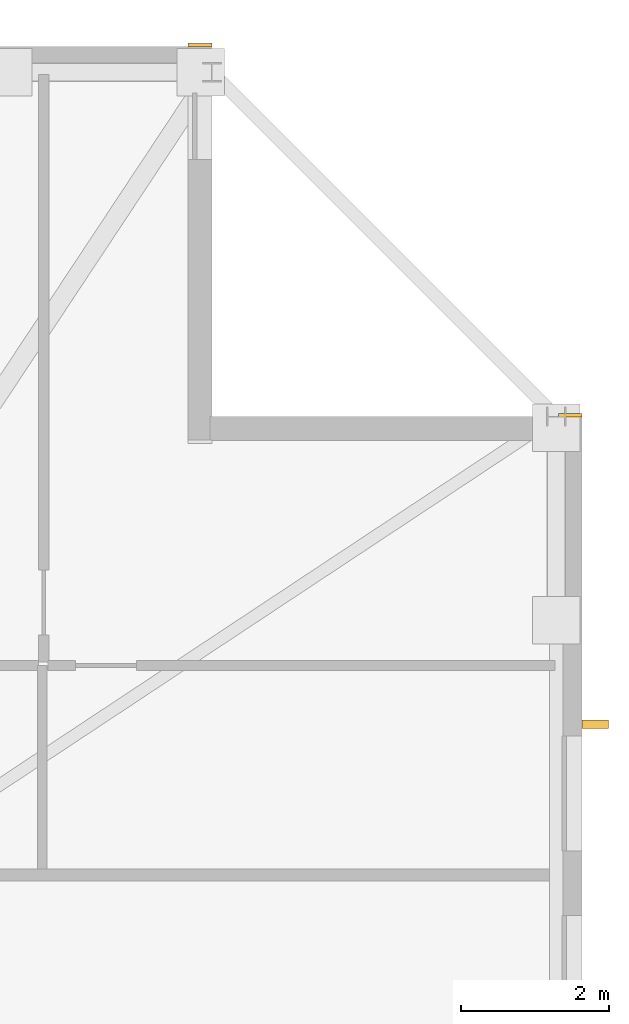
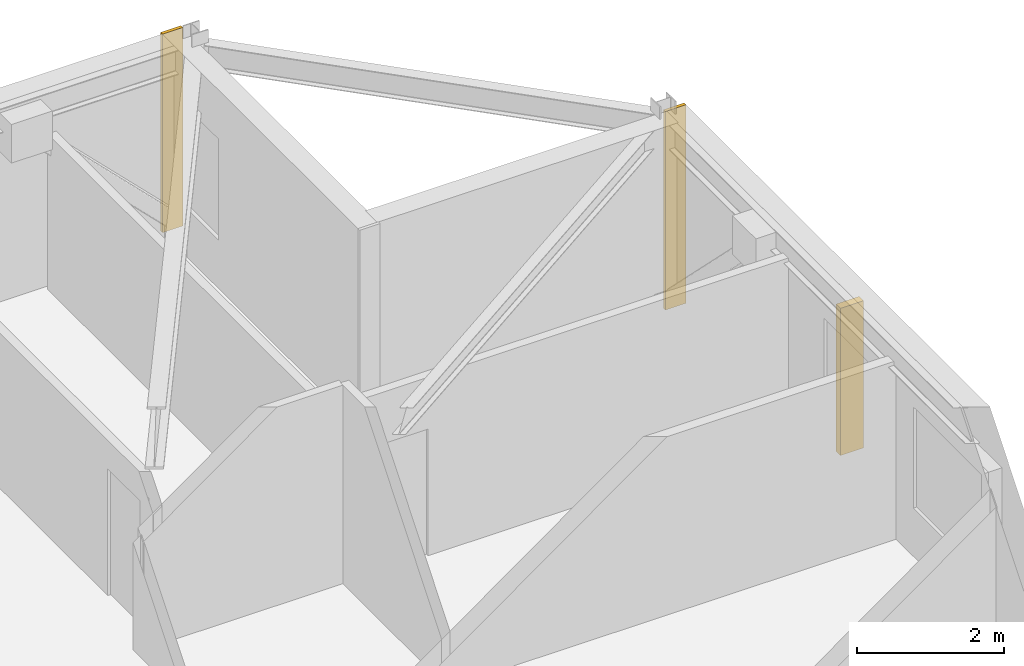
# One storey, part 17 of 17: 2 coverings, 1 shading device.
"""IFC4 building model written with IfcOpenShell, lengths in metres."""

from ifc_helpers import new_model, si_unit, direction, frame, frame_2d, origin, origin_2d, place, context, subcontext, project, spatial, rectangle, extrude, material, layer, layer_set, type_object, element, save


model = new_model("IFC4")

# Units and contexts
model_context = context("Model", 3, precision=1e-05, world=origin(), true_north=direction((0.0, 1.0)))
body_context = subcontext(model_context, "Body", "Model", "MODEL_VIEW")
ifc_project = project(units=[si_unit("LENGTHUNIT", "METRE"), si_unit("AREAUNIT", "SQUARE_METRE"), si_unit("VOLUMEUNIT", "CUBIC_METRE"), si_unit("PLANEANGLEUNIT", "RADIAN"), si_unit("MASSUNIT", "GRAM", prefix="KILO")], contexts=[model_context])

# Site, building, storey
site_placement = place(None, origin())
site = spatial("IfcSite", under=ifc_project, at=site_placement, CompositionType="ELEMENT")
building_placement = place(site_placement, origin())
building = spatial("IfcBuilding", under=site, at=building_placement, Name="Cairnveth Concourse Tower", CompositionType="ELEMENT")
storey_placement = place(building_placement, frame((0.0, 0.0, 213.0)))
storey = spatial("IfcBuildingStorey", under=building, at=storey_placement, Name="L58", CompositionType="ELEMENT", Elevation=213.0)

# Coverings
ifc_material_1 = material(Name="Dressed Melbourne Bluestone Cladding", Category="masonry")
ifc_layer = layer(ifc_material_1, 0.050048828125)
ifc_layer_set = layer_set([ifc_layer], Name="Dressed Melbourne Bluestone Cladding")
covering_type = type_object("IfcCoveringType", Name="DRESSED BLUESTONE PLINTH CLADDING 50", PredefinedType="CLADDING", material=ifc_layer_set)
for number, where, z_axis, x_axis, name in (
    (1, (69.179931640625, 61.52001953125, 0.0), (0.0, 0.0, 1.0), (1.0, 0.0, 0.0), "Melbourne Bluestone Corner Quoin L58-864"),
    (2, (74.179931640625, 56.52001953125, 0.0), (0.0, 0.0, 1.0), (1.0, 0.0, 0.0), "Melbourne Bluestone Corner Quoin L58-866"),
):
    element("IfcCovering", number, at=place(storey_placement, frame(where, z_axis=z_axis, x_axis=x_axis)), inside=storey, type_object=covering_type, Name=name, PredefinedType="CLADDING", context=body_context, shape_type="SweptSolid", body=[
        extrude(rectangle(XDim=0.320068359375, YDim=0.050048828125, at=frame_2d((0.16015625, 0.0))), origin(), (0.0, 0.0, 1.0), 3.2900390625),
    ])

# Shading device
ifc_material_2 = material(Name="Architectural Bronze Anodised Aluminium 6063-T6", Category="aluminium")
shading_device_type = type_object("IfcShadingDeviceType", Name="GOTHIC BRONZE VERTICAL LANCET FIN", PredefinedType="USERDEFINED", material=ifc_material_2)
shading_device_placement = place(storey_placement, frame((74.675048828125, 52.347412109375, 0.030029296875), z_axis=(0.0, 0.0, 1.0), x_axis=(0.0, 1.0, 0.0)))
element("IfcShadingDevice", 3, at=shading_device_placement, inside=storey, type_object=shading_device_type, Name="Gothic Bronze Vertical Fin L58-3-1", ObjectType="VERTICAL FIN", PredefinedType="USERDEFINED", context=body_context, shape_type="SweptSolid", body=[
    extrude(rectangle(XDim=0.1201171875, YDim=0.360107421875, at=origin_2d()), origin(), (0.0, 0.0, 1.0), 2.43798828125),
])

save(model, "model.ifc")
